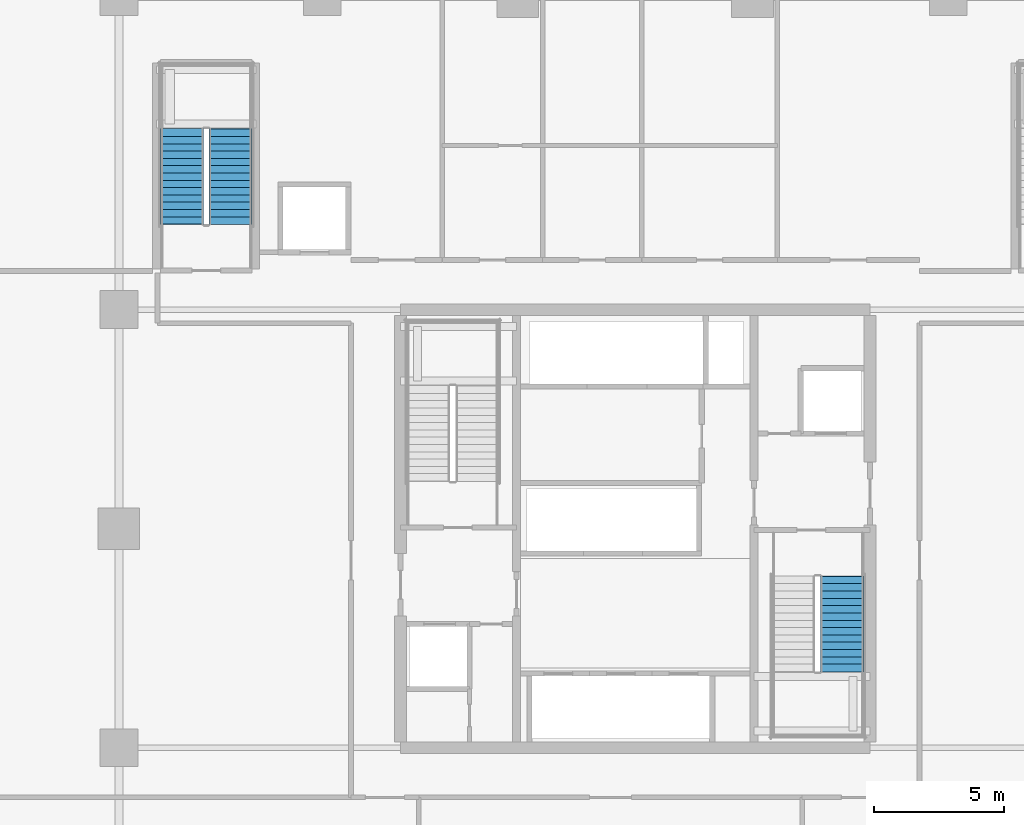
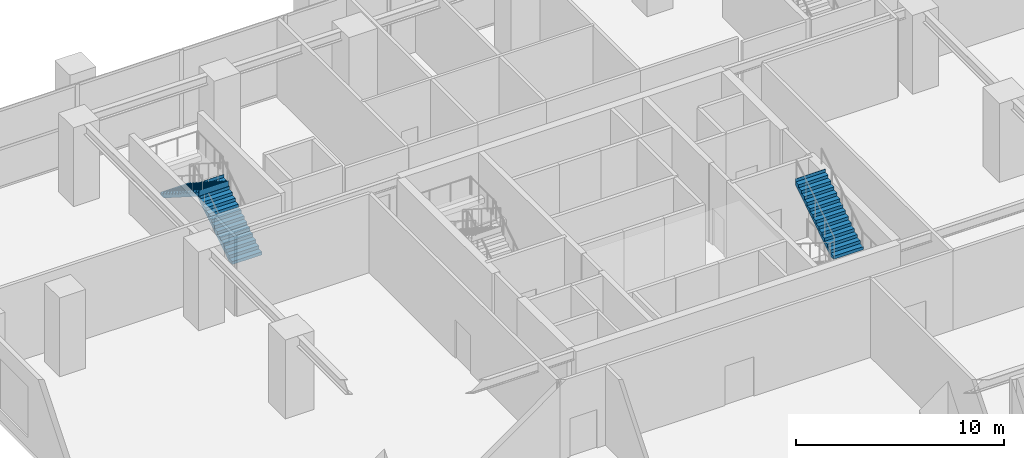
# One storey, part 17 of 20: 3 stair flights, 2 elements without a shape of their own.
"""IFC4 building model written with IfcOpenShell, lengths in metres."""

import ifcopenshell
import ifcopenshell.guid

model = None  # the IFC model being written
_history = None  # IfcOwnerHistory: only IFC2X3 demands one
_inside = {}  # id of a spatial element -> (the spatial element, [elements in it])
_under = {}  # id of a project, library or spatial element -> (it, [spatial elements below it])
_declared = {}  # id of a project -> (the project, [libraries it declares])
_typed = {}  # id of a type object -> (the type object, [elements of that type])
_made_of = {}  # id of a material, layer set ... -> (it, [elements and type objects made of it])


def new_model(schema):
    """Start an empty IFC model of exactly this schema.

    Asked for "IFC4X3", IfcOpenShell would pick the latest addendum, in which some entities
    have other attributes; the version numbers below select the first issue.
    IFC2X3 requires an IfcOwnerHistory on every rooted entity: one is made here for all.
    """
    global model, _history
    if schema == "IFC4X3":
        model = ifcopenshell.file(schema_version=(4, 3, 0, 0))
    else:
        model = ifcopenshell.file(schema=schema)
    _inside.clear()
    _under.clear()
    _declared.clear()
    _typed.clear()
    _made_of.clear()
    _history = None
    if model.schema == "IFC2X3":
        org = make("IfcOrganization", Name="unknown")
        user = make(
            "IfcPersonAndOrganization",
            ThePerson=make("IfcPerson", FamilyName="unknown"),
            TheOrganization=org,
        )
        app = make(
            "IfcApplication",
            ApplicationDeveloper=org,
            Version="unknown",
            ApplicationFullName="unknown",
            ApplicationIdentifier="unknown",
        )
        _history = make(
            "IfcOwnerHistory",
            OwningUser=user,
            OwningApplication=app,
            ChangeAction="ADDED",
            CreationDate=0,
        )
    return model


def make(cls, **values):
    """One entity of the class cls with the attributes given. An attribute that is None is left unset."""
    return model.create_entity(
        cls, **{name: value for name, value in values.items() if value is not None}
    )


def rooted(cls, **values):
    """An entity with a GlobalId (a new one), such as an element, a storey or a relation."""
    return make(cls, GlobalId=ifcopenshell.guid.new(), OwnerHistory=_history, **values)


def si_unit(unit_type, name, prefix=None):
    """IfcSIUnit, for example si_unit("LENGTHUNIT", "METRE", prefix="MILLI")."""
    return make("IfcSIUnit", UnitType=unit_type, Prefix=prefix, Name=name)


def assignment(units):
    """IfcUnitAssignment: the units of a project."""
    return None if units is None else make("IfcUnitAssignment", Units=units)


def point(xyz):
    """IfcCartesianPoint."""
    return None if xyz is None else make("IfcCartesianPoint", Coordinates=xyz)


def direction(xyz):
    """IfcDirection."""
    return None if xyz is None else make("IfcDirection", DirectionRatios=xyz)


def frame(location, z_axis=None, x_axis=None):
    """IfcAxis2Placement3D, a coordinate frame: its origin and axes. An axis left out is left unset."""
    return make(
        "IfcAxis2Placement3D",
        Location=point(location),
        Axis=direction(z_axis),
        RefDirection=direction(x_axis),
    )


def origin():
    """The frame at (0, 0, 0) with its axes left unset."""
    return frame((0.0, 0.0, 0.0))


def place(relative_to, where):
    """IfcLocalPlacement: puts the frame where relative to a parent placement (None: the world)."""
    return make(
        "IfcLocalPlacement", PlacementRelTo=relative_to, RelativePlacement=where
    )


def context(
    kind, dimensions, precision=None, world=None, true_north=None, identifier=None
):
    """IfcGeometricRepresentationContext, for example the 3D "Model" context."""
    return make(
        "IfcGeometricRepresentationContext",
        ContextIdentifier=identifier,
        ContextType=kind,
        CoordinateSpaceDimension=dimensions,
        Precision=precision,
        WorldCoordinateSystem=world,
        TrueNorth=true_north,
    )


def subcontext(parent, identifier, kind, view, scale=None):
    """IfcGeometricRepresentationSubContext, for example "Body" below "Model"."""
    return make(
        "IfcGeometricRepresentationSubContext",
        ContextIdentifier=identifier,
        ContextType=kind,
        ParentContext=parent,
        TargetScale=scale,
        TargetView=view,
    )


def project(units=None, contexts=None):
    """IfcProject with its units and contexts."""
    return rooted(
        "IfcProject",
        Name="project",
        RepresentationContexts=contexts,
        UnitsInContext=assignment(units),
    )


def spatial(cls, under=None, at=None, **own):
    """A site, building, storey or space (cls), placed at a placement, below another one or the project."""
    s = rooted(cls, ObjectPlacement=at, **own)
    if under is not None:
        _under.setdefault(under.id(), (under, []))[1].append(s)
    return s


def point_list(points):
    """IfcCartesianPointList2D or 3D."""
    cls = (
        "IfcCartesianPointList2D" if len(points[0]) == 2 else "IfcCartesianPointList3D"
    )
    return make(cls, CoordList=points)


def polygons(points, faces, closed=None, point_numbers=None):
    """IfcPolygonalFaceSet: a face is its outer loop, then its inner loops; points numbered from 1."""
    made = []
    for loops in faces:
        if len(loops) == 1:
            made.append(make("IfcIndexedPolygonalFace", CoordIndex=loops[0]))
        else:
            made.append(
                make(
                    "IfcIndexedPolygonalFaceWithVoids",
                    CoordIndex=loops[0],
                    InnerCoordIndices=loops[1:],
                )
            )
    return make(
        "IfcPolygonalFaceSet",
        Coordinates=point_list(points),
        Closed=closed,
        Faces=made,
        PnIndex=point_numbers,
    )


def shape(context_of_items, identifier, shape_type, items):
    """IfcShapeRepresentation: the items that make up one representation, for example the "Body"."""
    return make(
        "IfcShapeRepresentation",
        ContextOfItems=context_of_items,
        RepresentationIdentifier=identifier,
        RepresentationType=shape_type,
        Items=items,
    )


def material(Name=None, Category=None):
    """IfcMaterial."""
    return make("IfcMaterial", Name=Name, Category=Category)


def made_of(thing, what):
    """Note that an element or type object is made of a material, layer set ...; save() writes the relation."""
    if what is not None:
        _made_of.setdefault(what.id(), (what, []))[1].append(thing)
    return thing


def type_object(cls, material=None, **own):
    """A type object (cls), such as IfcWallType, which elements share."""
    return made_of(rooted(cls, **own), material)


def element(
    cls,
    number,
    at=None,
    inside=None,
    cuts=None,
    type_object=None,
    material=None,
    context=None,
    identifier="Body",
    shape_type=None,
    held_by="IfcProductDefinitionShape",
    body=None,
    shapes=None,
    **own,
):
    """One element of the class cls, such as IfcWall. Its Tag is "e" and its number.

    at: its placement. inside: the storey or other place that contains it. cuts: it is an
    opening in that element (IfcRelVoidsElement). A single representation is given by context,
    identifier, shape_type and body (its items); several are given by shapes. held_by: the class
    of the entity that holds the representations. save() writes the other relations.
    """
    e = rooted(cls, Tag="e%d" % number, ObjectPlacement=at, **own)
    if body is not None:
        shapes = [shape(context, identifier, shape_type, body)]
    if shapes is not None:
        e.Representation = make(held_by, Representations=shapes)
    if inside is not None:
        _inside.setdefault(inside.id(), (inside, []))[1].append(e)
    if cuts is not None:
        rooted(
            "IfcRelVoidsElement", RelatingBuildingElement=cuts, RelatedOpeningElement=e
        )
    if type_object is not None:
        _typed.setdefault(type_object.id(), (type_object, []))[1].append(e)
    return made_of(e, material)


def aggregate(whole, parts):
    """IfcRelAggregates: a whole, such as a stair, and the parts it consists of."""
    return rooted("IfcRelAggregates", RelatingObject=whole, RelatedObjects=parts)


def save(model, path):
    """Write the relations noted so far, then the file.

    IfcRelAggregates (storeys below a building ...), IfcRelContainedInSpatialStructure (elements
    in a storey), IfcRelDefinesByType, IfcRelAssociatesMaterial and IfcRelDeclares: one each for
    every whole, place, type object, material and project.
    """
    for whole, parts in _under.values():
        aggregate(whole, parts)
    for where, things in _inside.values():
        rooted(
            "IfcRelContainedInSpatialStructure",
            RelatedElements=things,
            RelatingStructure=where,
        )
    for kind, things in _typed.values():
        rooted("IfcRelDefinesByType", RelatedObjects=things, RelatingType=kind)
    for what, things in _made_of.values():
        rooted("IfcRelAssociatesMaterial", RelatedObjects=things, RelatingMaterial=what)
    for by, libraries in _declared.values():
        rooted("IfcRelDeclares", RelatingContext=by, RelatedDefinitions=libraries)
    model.write(path)


model = new_model("IFC4")

# Units and contexts
model_context = context("Model", 3, precision=1e-05, world=origin(), true_north=direction((0.0, 1.0)))
body_context = subcontext(model_context, "Body", "Model", "MODEL_VIEW")
ifc_project = project(units=[si_unit("LENGTHUNIT", "METRE"), si_unit("AREAUNIT", "SQUARE_METRE"), si_unit("VOLUMEUNIT", "CUBIC_METRE"), si_unit("PLANEANGLEUNIT", "RADIAN"), si_unit("MASSUNIT", "GRAM", prefix="KILO")], contexts=[model_context])

# Site, building, storey
site_placement = place(None, origin())
site = spatial("IfcSite", under=ifc_project, at=site_placement, CompositionType="ELEMENT")
building_placement = place(site_placement, origin())
building = spatial("IfcBuilding", under=site, at=building_placement, Name="Serunith Strait Residences", CompositionType="ELEMENT")
storey_placement = place(building_placement, frame((0.0, 0.0, 5.5)))
storey = spatial("IfcBuildingStorey", under=building, at=storey_placement, Name="L01", CompositionType="ELEMENT", Elevation=5.5)

# Stair, stair flight
ifc_material = material(Name="Concrete C50/60", Category="concrete")
stair_type_1 = type_object("IfcStairType", Name="STR-CORE-2", PredefinedType="HALF_TURN_STAIR", material=ifc_material)
stair_1_placement = place(storey_placement, origin())
stair_1 = element("IfcStair", 1, at=stair_1_placement, inside=storey, type_object=stair_type_1, Name="L01 Protected Escape Stair ST-2", PredefinedType="HALF_TURN_STAIR")
stair_flight_type_1 = type_object("IfcStairFlightType", Name="FLT-CORE-2", PredefinedType="STRAIGHT", material=ifc_material)
stair_flight_1_placement = place(storey_placement, frame((40.324951171875, 19.72998046875, 2.5), z_axis=(0.0, 0.0, 1.0), x_axis=(0.0, 1.0, 0.0)))
stair_flight_1 = element("IfcStairFlight", 2, at=stair_flight_1_placement, type_object=stair_flight_type_1, Name="ST-2 flight 2", NumberOfRisers=14, NumberOfTreads=13, PredefinedType="STRAIGHT", RiserHeight=0.178571429, TreadLength=0.28, context=body_context, shape_type="Tessellation", body=[
    polygons([(-0.02001953125, -0.824951171875, 0.0), (-0.02001953125, -0.824951171875, 0.178466796875), (0.280029296875, -0.824951171875, 0.178466796875), (0.280029296875, -0.824951171875, 0.357177734375), (0.56005859375, -0.824951171875, 0.357177734375), (0.56005859375, -0.824951171875, 0.53564453125), (0.840087890625, -0.824951171875, 0.53564453125), (0.840087890625, -0.824951171875, 0.71435546875), (1.1201171875, -0.824951171875, 0.71435546875), (1.1201171875, -0.824951171875, 0.892822265625), (1.39990234375, -0.824951171875, 0.892822265625), (1.39990234375, -0.824951171875, 1.071533203125), (1.679931640625, -0.824951171875, 1.071533203125), (1.679931640625, -0.824951171875, 1.25), (1.9599609375, -0.824951171875, 1.25), (1.9599609375, -0.824951171875, 1.428466796875), (2.239990234375, -0.824951171875, 1.428466796875), (2.239990234375, -0.824951171875, 1.607177734375), (2.52001953125, -0.824951171875, 1.607177734375), (2.52001953125, -0.824951171875, 1.78564453125), (2.800048828125, -0.824951171875, 1.78564453125), (2.800048828125, -0.824951171875, 1.96435546875), (3.080078125, -0.824951171875, 1.96435546875), (3.080078125, -0.824951171875, 2.142822265625), (3.360107421875, -0.824951171875, 2.142822265625), (3.360107421875, -0.824951171875, 2.321533203125), (3.639892578125, -0.824951171875, 2.321533203125), (3.639892578125, -0.824951171875, 2.5), (3.659912109375, -0.824951171875, 2.5), (3.659912109375, -0.824951171875, 2.43994140625), (3.639892578125, -0.824951171875, 2.1435546875), (0.27880859375, -0.824951171875, 0.0), (-0.02001953125, -0.41259765625, 0.0), (-0.02001953125, -0.41259765625, 0.178466796875), (0.280029296875, -0.41259765625, 0.178466796875), (0.280029296875, -0.41259765625, 0.357177734375), (0.56005859375, -0.41259765625, 0.357177734375), (0.56005859375, -0.41259765625, 0.53564453125), (0.840087890625, -0.41259765625, 0.53564453125), (0.840087890625, -0.41259765625, 0.71435546875), (1.1201171875, -0.41259765625, 0.71435546875), (1.1201171875, -0.41259765625, 0.892822265625), (1.39990234375, -0.41259765625, 0.892822265625), (1.39990234375, -0.41259765625, 1.071533203125), (1.679931640625, -0.41259765625, 1.071533203125), (1.679931640625, -0.41259765625, 1.25), (1.9599609375, -0.41259765625, 1.25), (1.9599609375, -0.41259765625, 1.428466796875), (2.239990234375, -0.41259765625, 1.428466796875), (2.239990234375, -0.41259765625, 1.607177734375), (2.52001953125, -0.41259765625, 1.607177734375), (2.52001953125, -0.41259765625, 1.78564453125), (2.800048828125, -0.41259765625, 1.78564453125), (2.800048828125, -0.41259765625, 1.96435546875), (3.080078125, -0.41259765625, 1.96435546875), (3.080078125, -0.41259765625, 2.142822265625), (3.360107421875, -0.41259765625, 2.142822265625), (3.360107421875, -0.41259765625, 2.321533203125), (3.639892578125, -0.41259765625, 2.321533203125), (3.639892578125, -0.41259765625, 2.5), (3.659912109375, -0.41259765625, 2.5), (3.659912109375, -0.41259765625, 2.43994140625), (3.639892578125, -0.41259765625, 2.1435546875), (0.27880859375, -0.41259765625, 0.0), (-0.02001953125, 0.0, 0.0), (-0.02001953125, 0.0, 0.178466796875), (0.280029296875, 0.0, 0.178466796875), (0.280029296875, 0.0, 0.357177734375), (0.56005859375, 0.0, 0.357177734375), (0.56005859375, 0.0, 0.53564453125), (0.840087890625, 0.0, 0.53564453125), (0.840087890625, 0.0, 0.71435546875), (1.1201171875, 0.0, 0.71435546875), (1.1201171875, 0.0, 0.892822265625), (1.39990234375, 0.0, 0.892822265625), (1.39990234375, 0.0, 1.071533203125), (1.679931640625, 0.0, 1.071533203125), (1.679931640625, 0.0, 1.25), (1.9599609375, 0.0, 1.25), (1.9599609375, 0.0, 1.428466796875), (2.239990234375, 0.0, 1.428466796875), (2.239990234375, 0.0, 1.607177734375), (2.52001953125, 0.0, 1.607177734375), (2.52001953125, 0.0, 1.78564453125), (2.800048828125, 0.0, 1.78564453125), (2.800048828125, 0.0, 1.96435546875), (3.080078125, 0.0, 1.96435546875), (3.080078125, 0.0, 2.142822265625), (3.360107421875, 0.0, 2.142822265625), (3.360107421875, 0.0, 2.321533203125), (3.639892578125, 0.0, 2.321533203125), (3.639892578125, 0.0, 2.5), (3.659912109375, 0.0, 2.5), (3.659912109375, 0.0, 2.43994140625), (3.639892578125, 0.0, 2.1435546875), (0.27880859375, 0.0, 0.0), (-0.02001953125, 0.41259765625, 0.0), (-0.02001953125, 0.41259765625, 0.178466796875), (0.280029296875, 0.41259765625, 0.178466796875), (0.280029296875, 0.41259765625, 0.357177734375), (0.56005859375, 0.41259765625, 0.357177734375), (0.56005859375, 0.41259765625, 0.53564453125), (0.840087890625, 0.41259765625, 0.53564453125), (0.840087890625, 0.41259765625, 0.71435546875), (1.1201171875, 0.41259765625, 0.71435546875), (1.1201171875, 0.41259765625, 0.892822265625), (1.39990234375, 0.41259765625, 0.892822265625), (1.39990234375, 0.41259765625, 1.071533203125), (1.679931640625, 0.41259765625, 1.071533203125), (1.679931640625, 0.41259765625, 1.25), (1.9599609375, 0.41259765625, 1.25), (1.9599609375, 0.41259765625, 1.428466796875), (2.239990234375, 0.41259765625, 1.428466796875), (2.239990234375, 0.41259765625, 1.607177734375), (2.52001953125, 0.41259765625, 1.607177734375), (2.52001953125, 0.41259765625, 1.78564453125), (2.800048828125, 0.41259765625, 1.78564453125), (2.800048828125, 0.41259765625, 1.96435546875), (3.080078125, 0.41259765625, 1.96435546875), (3.080078125, 0.41259765625, 2.142822265625), (3.360107421875, 0.41259765625, 2.142822265625), (3.360107421875, 0.41259765625, 2.321533203125), (3.639892578125, 0.41259765625, 2.321533203125), (3.639892578125, 0.41259765625, 2.5), (3.659912109375, 0.41259765625, 2.5), (3.659912109375, 0.41259765625, 2.43994140625), (3.639892578125, 0.41259765625, 2.1435546875), (0.27880859375, 0.41259765625, 0.0), (-0.02001953125, 0.824951171875, 0.0), (-0.02001953125, 0.824951171875, 0.178466796875), (0.280029296875, 0.824951171875, 0.178466796875), (0.280029296875, 0.824951171875, 0.357177734375), (0.56005859375, 0.824951171875, 0.357177734375), (0.56005859375, 0.824951171875, 0.53564453125), (0.840087890625, 0.824951171875, 0.53564453125), (0.840087890625, 0.824951171875, 0.71435546875), (1.1201171875, 0.824951171875, 0.71435546875), (1.1201171875, 0.824951171875, 0.892822265625), (1.39990234375, 0.824951171875, 0.892822265625), (1.39990234375, 0.824951171875, 1.071533203125), (1.679931640625, 0.824951171875, 1.071533203125), (1.679931640625, 0.824951171875, 1.25), (1.9599609375, 0.824951171875, 1.25), (1.9599609375, 0.824951171875, 1.428466796875), (2.239990234375, 0.824951171875, 1.428466796875), (2.239990234375, 0.824951171875, 1.607177734375), (2.52001953125, 0.824951171875, 1.607177734375), (2.52001953125, 0.824951171875, 1.78564453125), (2.800048828125, 0.824951171875, 1.78564453125), (2.800048828125, 0.824951171875, 1.96435546875), (3.080078125, 0.824951171875, 1.96435546875), (3.080078125, 0.824951171875, 2.142822265625), (3.360107421875, 0.824951171875, 2.142822265625), (3.360107421875, 0.824951171875, 2.321533203125), (3.639892578125, 0.824951171875, 2.321533203125), (3.639892578125, 0.824951171875, 2.5), (3.659912109375, 0.824951171875, 2.5), (3.659912109375, 0.824951171875, 2.43994140625), (3.639892578125, 0.824951171875, 2.1435546875), (0.27880859375, 0.824951171875, 0.0)], [[[1, 2, 34, 33]], [[2, 3, 35, 34]], [[3, 4, 36, 35]], [[4, 5, 37, 36]], [[5, 6, 38, 37]], [[6, 7, 39, 38]], [[7, 8, 40, 39]], [[8, 9, 41, 40]], [[9, 10, 42, 41]], [[10, 11, 43, 42]], [[11, 12, 44, 43]], [[12, 13, 45, 44]], [[13, 14, 46, 45]], [[14, 15, 47, 46]], [[15, 16, 48, 47]], [[16, 17, 49, 48]], [[17, 18, 50, 49]], [[18, 19, 51, 50]], [[19, 20, 52, 51]], [[20, 21, 53, 52]], [[21, 22, 54, 53]], [[22, 23, 55, 54]], [[23, 24, 56, 55]], [[24, 25, 57, 56]], [[25, 26, 58, 57]], [[26, 27, 59, 58]], [[27, 28, 60, 59]], [[28, 29, 61, 60]], [[29, 30, 62, 61]], [[30, 31, 63, 62]], [[31, 32, 64, 63]], [[32, 1, 33, 64]], [[33, 34, 66, 65]], [[34, 35, 67, 66]], [[35, 36, 68, 67]], [[36, 37, 69, 68]], [[37, 38, 70, 69]], [[38, 39, 71, 70]], [[39, 40, 72, 71]], [[40, 41, 73, 72]], [[41, 42, 74, 73]], [[42, 43, 75, 74]], [[43, 44, 76, 75]], [[44, 45, 77, 76]], [[45, 46, 78, 77]], [[46, 47, 79, 78]], [[47, 48, 80, 79]], [[48, 49, 81, 80]], [[49, 50, 82, 81]], [[50, 51, 83, 82]], [[51, 52, 84, 83]], [[52, 53, 85, 84]], [[53, 54, 86, 85]], [[54, 55, 87, 86]], [[55, 56, 88, 87]], [[56, 57, 89, 88]], [[57, 58, 90, 89]], [[58, 59, 91, 90]], [[59, 60, 92, 91]], [[60, 61, 93, 92]], [[61, 62, 94, 93]], [[62, 63, 95, 94]], [[63, 64, 96, 95]], [[64, 33, 65, 96]], [[65, 66, 98, 97]], [[66, 67, 99, 98]], [[67, 68, 100, 99]], [[68, 69, 101, 100]], [[69, 70, 102, 101]], [[70, 71, 103, 102]], [[71, 72, 104, 103]], [[72, 73, 105, 104]], [[73, 74, 106, 105]], [[74, 75, 107, 106]], [[75, 76, 108, 107]], [[76, 77, 109, 108]], [[77, 78, 110, 109]], [[78, 79, 111, 110]], [[79, 80, 112, 111]], [[80, 81, 113, 112]], [[81, 82, 114, 113]], [[82, 83, 115, 114]], [[83, 84, 116, 115]], [[84, 85, 117, 116]], [[85, 86, 118, 117]], [[86, 87, 119, 118]], [[87, 88, 120, 119]], [[88, 89, 121, 120]], [[89, 90, 122, 121]], [[90, 91, 123, 122]], [[91, 92, 124, 123]], [[92, 93, 125, 124]], [[93, 94, 126, 125]], [[94, 95, 127, 126]], [[95, 96, 128, 127]], [[96, 65, 97, 128]], [[97, 98, 130, 129]], [[98, 99, 131, 130]], [[99, 100, 132, 131]], [[100, 101, 133, 132]], [[101, 102, 134, 133]], [[102, 103, 135, 134]], [[103, 104, 136, 135]], [[104, 105, 137, 136]], [[105, 106, 138, 137]], [[106, 107, 139, 138]], [[107, 108, 140, 139]], [[108, 109, 141, 140]], [[109, 110, 142, 141]], [[110, 111, 143, 142]], [[111, 112, 144, 143]], [[112, 113, 145, 144]], [[113, 114, 146, 145]], [[114, 115, 147, 146]], [[115, 116, 148, 147]], [[116, 117, 149, 148]], [[117, 118, 150, 149]], [[118, 119, 151, 150]], [[119, 120, 152, 151]], [[120, 121, 153, 152]], [[121, 122, 154, 153]], [[122, 123, 155, 154]], [[123, 124, 156, 155]], [[124, 125, 157, 156]], [[125, 126, 158, 157]], [[126, 127, 159, 158]], [[127, 128, 160, 159]], [[128, 97, 129, 160]], [[32, 31, 30, 29, 28, 27, 26, 25, 24, 23, 22, 21, 20, 19, 18, 17, 16, 15, 14, 13, 12, 11, 10, 9, 8, 7, 6, 5, 4, 3, 2, 1]], [[129, 130, 131, 132, 133, 134, 135, 136, 137, 138, 139, 140, 141, 142, 143, 144, 145, 146, 147, 148, 149, 150, 151, 152, 153, 154, 155, 156, 157, 158, 159, 160]]], closed=True),
])
aggregate(stair_1, [stair_flight_1])

# Stair, stair flights
stair_type_2 = type_object("IfcStairType", Name="STR-POD-3", PredefinedType="HALF_TURN_STAIR", material=ifc_material)
stair_2_placement = place(storey_placement, origin())
stair_2 = element("IfcStair", 3, at=stair_2_placement, inside=storey, type_object=stair_type_2, Name="L01 Podium Escape Stair ST-3", PredefinedType="HALF_TURN_STAIR")
stair_flight_type_2 = type_object("IfcStairFlightType", Name="FLT-POD-3", PredefinedType="STRAIGHT", material=ifc_material)
stair_flight_2_placement = place(storey_placement, frame((16.875, 36.8798828125, 0.0), z_axis=(0.0, 0.0, 1.0), x_axis=(0.0, 1.0, 0.0)))
stair_flight_2 = element("IfcStairFlight", 4, at=stair_flight_2_placement, type_object=stair_flight_type_2, Name="ST-3 flight 1", NumberOfRisers=14, NumberOfTreads=13, PredefinedType="STRAIGHT", RiserHeight=0.178571429, TreadLength=0.28, context=body_context, shape_type="Tessellation", body=[
    polygons([(-0.02001953125, -0.824951171875, 0.0), (-0.02001953125, -0.824951171875, 0.178466796875), (0.280029296875, -0.824951171875, 0.178466796875), (0.280029296875, -0.824951171875, 0.357177734375), (0.56005859375, -0.824951171875, 0.357177734375), (0.56005859375, -0.824951171875, 0.53564453125), (0.840087890625, -0.824951171875, 0.53564453125), (0.840087890625, -0.824951171875, 0.71435546875), (1.1201171875, -0.824951171875, 0.71435546875), (1.1201171875, -0.824951171875, 0.892822265625), (1.39990234375, -0.824951171875, 0.892822265625), (1.39990234375, -0.824951171875, 1.071533203125), (1.679931640625, -0.824951171875, 1.071533203125), (1.679931640625, -0.824951171875, 1.25), (1.9599609375, -0.824951171875, 1.25), (1.9599609375, -0.824951171875, 1.428466796875), (2.239990234375, -0.824951171875, 1.428466796875), (2.239990234375, -0.824951171875, 1.607177734375), (2.52001953125, -0.824951171875, 1.607177734375), (2.52001953125, -0.824951171875, 1.78564453125), (2.800048828125, -0.824951171875, 1.78564453125), (2.800048828125, -0.824951171875, 1.96435546875), (3.080078125, -0.824951171875, 1.96435546875), (3.080078125, -0.824951171875, 2.142822265625), (3.360107421875, -0.824951171875, 2.142822265625), (3.360107421875, -0.824951171875, 2.321533203125), (3.639892578125, -0.824951171875, 2.321533203125), (3.639892578125, -0.824951171875, 2.5), (3.659912109375, -0.824951171875, 2.5), (3.659912109375, -0.824951171875, 2.43994140625), (3.639892578125, -0.824951171875, 2.1435546875), (0.27880859375, -0.824951171875, 0.0), (-0.02001953125, -0.41259765625, 0.0), (-0.02001953125, -0.41259765625, 0.178466796875), (0.280029296875, -0.41259765625, 0.178466796875), (0.280029296875, -0.41259765625, 0.357177734375), (0.56005859375, -0.41259765625, 0.357177734375), (0.56005859375, -0.41259765625, 0.53564453125), (0.840087890625, -0.41259765625, 0.53564453125), (0.840087890625, -0.41259765625, 0.71435546875), (1.1201171875, -0.41259765625, 0.71435546875), (1.1201171875, -0.41259765625, 0.892822265625), (1.39990234375, -0.41259765625, 0.892822265625), (1.39990234375, -0.41259765625, 1.071533203125), (1.679931640625, -0.41259765625, 1.071533203125), (1.679931640625, -0.41259765625, 1.25), (1.9599609375, -0.41259765625, 1.25), (1.9599609375, -0.41259765625, 1.428466796875), (2.239990234375, -0.41259765625, 1.428466796875), (2.239990234375, -0.41259765625, 1.607177734375), (2.52001953125, -0.41259765625, 1.607177734375), (2.52001953125, -0.41259765625, 1.78564453125), (2.800048828125, -0.41259765625, 1.78564453125), (2.800048828125, -0.41259765625, 1.96435546875), (3.080078125, -0.41259765625, 1.96435546875), (3.080078125, -0.41259765625, 2.142822265625), (3.360107421875, -0.41259765625, 2.142822265625), (3.360107421875, -0.41259765625, 2.321533203125), (3.639892578125, -0.41259765625, 2.321533203125), (3.639892578125, -0.41259765625, 2.5), (3.659912109375, -0.41259765625, 2.5), (3.659912109375, -0.41259765625, 2.43994140625), (3.639892578125, -0.41259765625, 2.1435546875), (0.27880859375, -0.41259765625, 0.0), (-0.02001953125, 0.0, 0.0), (-0.02001953125, 0.0, 0.178466796875), (0.280029296875, 0.0, 0.178466796875), (0.280029296875, 0.0, 0.357177734375), (0.56005859375, 0.0, 0.357177734375), (0.56005859375, 0.0, 0.53564453125), (0.840087890625, 0.0, 0.53564453125), (0.840087890625, 0.0, 0.71435546875), (1.1201171875, 0.0, 0.71435546875), (1.1201171875, 0.0, 0.892822265625), (1.39990234375, 0.0, 0.892822265625), (1.39990234375, 0.0, 1.071533203125), (1.679931640625, 0.0, 1.071533203125), (1.679931640625, 0.0, 1.25), (1.9599609375, 0.0, 1.25), (1.9599609375, 0.0, 1.428466796875), (2.239990234375, 0.0, 1.428466796875), (2.239990234375, 0.0, 1.607177734375), (2.52001953125, 0.0, 1.607177734375), (2.52001953125, 0.0, 1.78564453125), (2.800048828125, 0.0, 1.78564453125), (2.800048828125, 0.0, 1.96435546875), (3.080078125, 0.0, 1.96435546875), (3.080078125, 0.0, 2.142822265625), (3.360107421875, 0.0, 2.142822265625), (3.360107421875, 0.0, 2.321533203125), (3.639892578125, 0.0, 2.321533203125), (3.639892578125, 0.0, 2.5), (3.659912109375, 0.0, 2.5), (3.659912109375, 0.0, 2.43994140625), (3.639892578125, 0.0, 2.1435546875), (0.27880859375, 0.0, 0.0), (-0.02001953125, 0.41259765625, 0.0), (-0.02001953125, 0.41259765625, 0.178466796875), (0.280029296875, 0.41259765625, 0.178466796875), (0.280029296875, 0.41259765625, 0.357177734375), (0.56005859375, 0.41259765625, 0.357177734375), (0.56005859375, 0.41259765625, 0.53564453125), (0.840087890625, 0.41259765625, 0.53564453125), (0.840087890625, 0.41259765625, 0.71435546875), (1.1201171875, 0.41259765625, 0.71435546875), (1.1201171875, 0.41259765625, 0.892822265625), (1.39990234375, 0.41259765625, 0.892822265625), (1.39990234375, 0.41259765625, 1.071533203125), (1.679931640625, 0.41259765625, 1.071533203125), (1.679931640625, 0.41259765625, 1.25), (1.9599609375, 0.41259765625, 1.25), (1.9599609375, 0.41259765625, 1.428466796875), (2.239990234375, 0.41259765625, 1.428466796875), (2.239990234375, 0.41259765625, 1.607177734375), (2.52001953125, 0.41259765625, 1.607177734375), (2.52001953125, 0.41259765625, 1.78564453125), (2.800048828125, 0.41259765625, 1.78564453125), (2.800048828125, 0.41259765625, 1.96435546875), (3.080078125, 0.41259765625, 1.96435546875), (3.080078125, 0.41259765625, 2.142822265625), (3.360107421875, 0.41259765625, 2.142822265625), (3.360107421875, 0.41259765625, 2.321533203125), (3.639892578125, 0.41259765625, 2.321533203125), (3.639892578125, 0.41259765625, 2.5), (3.659912109375, 0.41259765625, 2.5), (3.659912109375, 0.41259765625, 2.43994140625), (3.639892578125, 0.41259765625, 2.1435546875), (0.27880859375, 0.41259765625, 0.0), (-0.02001953125, 0.824951171875, 0.0), (-0.02001953125, 0.824951171875, 0.178466796875), (0.280029296875, 0.824951171875, 0.178466796875), (0.280029296875, 0.824951171875, 0.357177734375), (0.56005859375, 0.824951171875, 0.357177734375), (0.56005859375, 0.824951171875, 0.53564453125), (0.840087890625, 0.824951171875, 0.53564453125), (0.840087890625, 0.824951171875, 0.71435546875), (1.1201171875, 0.824951171875, 0.71435546875), (1.1201171875, 0.824951171875, 0.892822265625), (1.39990234375, 0.824951171875, 0.892822265625), (1.39990234375, 0.824951171875, 1.071533203125), (1.679931640625, 0.824951171875, 1.071533203125), (1.679931640625, 0.824951171875, 1.25), (1.9599609375, 0.824951171875, 1.25), (1.9599609375, 0.824951171875, 1.428466796875), (2.239990234375, 0.824951171875, 1.428466796875), (2.239990234375, 0.824951171875, 1.607177734375), (2.52001953125, 0.824951171875, 1.607177734375), (2.52001953125, 0.824951171875, 1.78564453125), (2.800048828125, 0.824951171875, 1.78564453125), (2.800048828125, 0.824951171875, 1.96435546875), (3.080078125, 0.824951171875, 1.96435546875), (3.080078125, 0.824951171875, 2.142822265625), (3.360107421875, 0.824951171875, 2.142822265625), (3.360107421875, 0.824951171875, 2.321533203125), (3.639892578125, 0.824951171875, 2.321533203125), (3.639892578125, 0.824951171875, 2.5), (3.659912109375, 0.824951171875, 2.5), (3.659912109375, 0.824951171875, 2.43994140625), (3.639892578125, 0.824951171875, 2.1435546875), (0.27880859375, 0.824951171875, 0.0)], [[[1, 2, 34, 33]], [[2, 3, 35, 34]], [[3, 4, 36, 35]], [[4, 5, 37, 36]], [[5, 6, 38, 37]], [[6, 7, 39, 38]], [[7, 8, 40, 39]], [[8, 9, 41, 40]], [[9, 10, 42, 41]], [[10, 11, 43, 42]], [[11, 12, 44, 43]], [[12, 13, 45, 44]], [[13, 14, 46, 45]], [[14, 15, 47, 46]], [[15, 16, 48, 47]], [[16, 17, 49, 48]], [[17, 18, 50, 49]], [[18, 19, 51, 50]], [[19, 20, 52, 51]], [[20, 21, 53, 52]], [[21, 22, 54, 53]], [[22, 23, 55, 54]], [[23, 24, 56, 55]], [[24, 25, 57, 56]], [[25, 26, 58, 57]], [[26, 27, 59, 58]], [[27, 28, 60, 59]], [[28, 29, 61, 60]], [[29, 30, 62, 61]], [[30, 31, 63, 62]], [[31, 32, 64, 63]], [[32, 1, 33, 64]], [[33, 34, 66, 65]], [[34, 35, 67, 66]], [[35, 36, 68, 67]], [[36, 37, 69, 68]], [[37, 38, 70, 69]], [[38, 39, 71, 70]], [[39, 40, 72, 71]], [[40, 41, 73, 72]], [[41, 42, 74, 73]], [[42, 43, 75, 74]], [[43, 44, 76, 75]], [[44, 45, 77, 76]], [[45, 46, 78, 77]], [[46, 47, 79, 78]], [[47, 48, 80, 79]], [[48, 49, 81, 80]], [[49, 50, 82, 81]], [[50, 51, 83, 82]], [[51, 52, 84, 83]], [[52, 53, 85, 84]], [[53, 54, 86, 85]], [[54, 55, 87, 86]], [[55, 56, 88, 87]], [[56, 57, 89, 88]], [[57, 58, 90, 89]], [[58, 59, 91, 90]], [[59, 60, 92, 91]], [[60, 61, 93, 92]], [[61, 62, 94, 93]], [[62, 63, 95, 94]], [[63, 64, 96, 95]], [[64, 33, 65, 96]], [[65, 66, 98, 97]], [[66, 67, 99, 98]], [[67, 68, 100, 99]], [[68, 69, 101, 100]], [[69, 70, 102, 101]], [[70, 71, 103, 102]], [[71, 72, 104, 103]], [[72, 73, 105, 104]], [[73, 74, 106, 105]], [[74, 75, 107, 106]], [[75, 76, 108, 107]], [[76, 77, 109, 108]], [[77, 78, 110, 109]], [[78, 79, 111, 110]], [[79, 80, 112, 111]], [[80, 81, 113, 112]], [[81, 82, 114, 113]], [[82, 83, 115, 114]], [[83, 84, 116, 115]], [[84, 85, 117, 116]], [[85, 86, 118, 117]], [[86, 87, 119, 118]], [[87, 88, 120, 119]], [[88, 89, 121, 120]], [[89, 90, 122, 121]], [[90, 91, 123, 122]], [[91, 92, 124, 123]], [[92, 93, 125, 124]], [[93, 94, 126, 125]], [[94, 95, 127, 126]], [[95, 96, 128, 127]], [[96, 65, 97, 128]], [[97, 98, 130, 129]], [[98, 99, 131, 130]], [[99, 100, 132, 131]], [[100, 101, 133, 132]], [[101, 102, 134, 133]], [[102, 103, 135, 134]], [[103, 104, 136, 135]], [[104, 105, 137, 136]], [[105, 106, 138, 137]], [[106, 107, 139, 138]], [[107, 108, 140, 139]], [[108, 109, 141, 140]], [[109, 110, 142, 141]], [[110, 111, 143, 142]], [[111, 112, 144, 143]], [[112, 113, 145, 144]], [[113, 114, 146, 145]], [[114, 115, 147, 146]], [[115, 116, 148, 147]], [[116, 117, 149, 148]], [[117, 118, 150, 149]], [[118, 119, 151, 150]], [[119, 120, 152, 151]], [[120, 121, 153, 152]], [[121, 122, 154, 153]], [[122, 123, 155, 154]], [[123, 124, 156, 155]], [[124, 125, 157, 156]], [[125, 126, 158, 157]], [[126, 127, 159, 158]], [[127, 128, 160, 159]], [[128, 97, 129, 160]], [[32, 31, 30, 29, 28, 27, 26, 25, 24, 23, 22, 21, 20, 19, 18, 17, 16, 15, 14, 13, 12, 11, 10, 9, 8, 7, 6, 5, 4, 3, 2, 1]], [[129, 130, 131, 132, 133, 134, 135, 136, 137, 138, 139, 140, 141, 142, 143, 144, 145, 146, 147, 148, 149, 150, 151, 152, 153, 154, 155, 156, 157, 158, 159, 160]]], closed=True),
])
stair_flight_3_placement = place(storey_placement, frame((15.02490234375, 40.52001953125, 2.5), z_axis=(0.0, 0.0, 1.0), x_axis=(0.0, -1.0, 0.0)))
stair_flight_3 = element("IfcStairFlight", 5, at=stair_flight_3_placement, type_object=stair_flight_type_2, Name="ST-3 flight 2", NumberOfRisers=14, NumberOfTreads=13, PredefinedType="STRAIGHT", RiserHeight=0.178571429, TreadLength=0.28, context=body_context, shape_type="Tessellation", body=[
    polygons([(-0.02001953125, -0.824951171875, 0.0), (-0.02001953125, -0.824951171875, 0.178466796875), (0.280029296875, -0.824951171875, 0.178466796875), (0.280029296875, -0.824951171875, 0.357177734375), (0.56005859375, -0.824951171875, 0.357177734375), (0.56005859375, -0.824951171875, 0.53564453125), (0.840087890625, -0.824951171875, 0.53564453125), (0.840087890625, -0.824951171875, 0.71435546875), (1.1201171875, -0.824951171875, 0.71435546875), (1.1201171875, -0.824951171875, 0.892822265625), (1.39990234375, -0.824951171875, 0.892822265625), (1.39990234375, -0.824951171875, 1.071533203125), (1.679931640625, -0.824951171875, 1.071533203125), (1.679931640625, -0.824951171875, 1.25), (1.9599609375, -0.824951171875, 1.25), (1.9599609375, -0.824951171875, 1.428466796875), (2.239990234375, -0.824951171875, 1.428466796875), (2.239990234375, -0.824951171875, 1.607177734375), (2.52001953125, -0.824951171875, 1.607177734375), (2.52001953125, -0.824951171875, 1.78564453125), (2.800048828125, -0.824951171875, 1.78564453125), (2.800048828125, -0.824951171875, 1.96435546875), (3.080078125, -0.824951171875, 1.96435546875), (3.080078125, -0.824951171875, 2.142822265625), (3.360107421875, -0.824951171875, 2.142822265625), (3.360107421875, -0.824951171875, 2.321533203125), (3.639892578125, -0.824951171875, 2.321533203125), (3.639892578125, -0.824951171875, 2.5), (3.659912109375, -0.824951171875, 2.5), (3.659912109375, -0.824951171875, 2.43994140625), (3.639892578125, -0.824951171875, 2.1435546875), (0.27880859375, -0.824951171875, 0.0), (-0.02001953125, -0.41259765625, 0.0), (-0.02001953125, -0.41259765625, 0.178466796875), (0.280029296875, -0.41259765625, 0.178466796875), (0.280029296875, -0.41259765625, 0.357177734375), (0.56005859375, -0.41259765625, 0.357177734375), (0.56005859375, -0.41259765625, 0.53564453125), (0.840087890625, -0.41259765625, 0.53564453125), (0.840087890625, -0.41259765625, 0.71435546875), (1.1201171875, -0.41259765625, 0.71435546875), (1.1201171875, -0.41259765625, 0.892822265625), (1.39990234375, -0.41259765625, 0.892822265625), (1.39990234375, -0.41259765625, 1.071533203125), (1.679931640625, -0.41259765625, 1.071533203125), (1.679931640625, -0.41259765625, 1.25), (1.9599609375, -0.41259765625, 1.25), (1.9599609375, -0.41259765625, 1.428466796875), (2.239990234375, -0.41259765625, 1.428466796875), (2.239990234375, -0.41259765625, 1.607177734375), (2.52001953125, -0.41259765625, 1.607177734375), (2.52001953125, -0.41259765625, 1.78564453125), (2.800048828125, -0.41259765625, 1.78564453125), (2.800048828125, -0.41259765625, 1.96435546875), (3.080078125, -0.41259765625, 1.96435546875), (3.080078125, -0.41259765625, 2.142822265625), (3.360107421875, -0.41259765625, 2.142822265625), (3.360107421875, -0.41259765625, 2.321533203125), (3.639892578125, -0.41259765625, 2.321533203125), (3.639892578125, -0.41259765625, 2.5), (3.659912109375, -0.41259765625, 2.5), (3.659912109375, -0.41259765625, 2.43994140625), (3.639892578125, -0.41259765625, 2.1435546875), (0.27880859375, -0.41259765625, 0.0), (-0.02001953125, 0.0, 0.0), (-0.02001953125, 0.0, 0.178466796875), (0.280029296875, 0.0, 0.178466796875), (0.280029296875, 0.0, 0.357177734375), (0.56005859375, 0.0, 0.357177734375), (0.56005859375, 0.0, 0.53564453125), (0.840087890625, 0.0, 0.53564453125), (0.840087890625, 0.0, 0.71435546875), (1.1201171875, 0.0, 0.71435546875), (1.1201171875, 0.0, 0.892822265625), (1.39990234375, 0.0, 0.892822265625), (1.39990234375, 0.0, 1.071533203125), (1.679931640625, 0.0, 1.071533203125), (1.679931640625, 0.0, 1.25), (1.9599609375, 0.0, 1.25), (1.9599609375, 0.0, 1.428466796875), (2.239990234375, 0.0, 1.428466796875), (2.239990234375, 0.0, 1.607177734375), (2.52001953125, 0.0, 1.607177734375), (2.52001953125, 0.0, 1.78564453125), (2.800048828125, 0.0, 1.78564453125), (2.800048828125, 0.0, 1.96435546875), (3.080078125, 0.0, 1.96435546875), (3.080078125, 0.0, 2.142822265625), (3.360107421875, 0.0, 2.142822265625), (3.360107421875, 0.0, 2.321533203125), (3.639892578125, 0.0, 2.321533203125), (3.639892578125, 0.0, 2.5), (3.659912109375, 0.0, 2.5), (3.659912109375, 0.0, 2.43994140625), (3.639892578125, 0.0, 2.1435546875), (0.27880859375, 0.0, 0.0), (-0.02001953125, 0.41259765625, 0.0), (-0.02001953125, 0.41259765625, 0.178466796875), (0.280029296875, 0.41259765625, 0.178466796875), (0.280029296875, 0.41259765625, 0.357177734375), (0.56005859375, 0.41259765625, 0.357177734375), (0.56005859375, 0.41259765625, 0.53564453125), (0.840087890625, 0.41259765625, 0.53564453125), (0.840087890625, 0.41259765625, 0.71435546875), (1.1201171875, 0.41259765625, 0.71435546875), (1.1201171875, 0.41259765625, 0.892822265625), (1.39990234375, 0.41259765625, 0.892822265625), (1.39990234375, 0.41259765625, 1.071533203125), (1.679931640625, 0.41259765625, 1.071533203125), (1.679931640625, 0.41259765625, 1.25), (1.9599609375, 0.41259765625, 1.25), (1.9599609375, 0.41259765625, 1.428466796875), (2.239990234375, 0.41259765625, 1.428466796875), (2.239990234375, 0.41259765625, 1.607177734375), (2.52001953125, 0.41259765625, 1.607177734375), (2.52001953125, 0.41259765625, 1.78564453125), (2.800048828125, 0.41259765625, 1.78564453125), (2.800048828125, 0.41259765625, 1.96435546875), (3.080078125, 0.41259765625, 1.96435546875), (3.080078125, 0.41259765625, 2.142822265625), (3.360107421875, 0.41259765625, 2.142822265625), (3.360107421875, 0.41259765625, 2.321533203125), (3.639892578125, 0.41259765625, 2.321533203125), (3.639892578125, 0.41259765625, 2.5), (3.659912109375, 0.41259765625, 2.5), (3.659912109375, 0.41259765625, 2.43994140625), (3.639892578125, 0.41259765625, 2.1435546875), (0.27880859375, 0.41259765625, 0.0), (-0.02001953125, 0.824951171875, 0.0), (-0.02001953125, 0.824951171875, 0.178466796875), (0.280029296875, 0.824951171875, 0.178466796875), (0.280029296875, 0.824951171875, 0.357177734375), (0.56005859375, 0.824951171875, 0.357177734375), (0.56005859375, 0.824951171875, 0.53564453125), (0.840087890625, 0.824951171875, 0.53564453125), (0.840087890625, 0.824951171875, 0.71435546875), (1.1201171875, 0.824951171875, 0.71435546875), (1.1201171875, 0.824951171875, 0.892822265625), (1.39990234375, 0.824951171875, 0.892822265625), (1.39990234375, 0.824951171875, 1.071533203125), (1.679931640625, 0.824951171875, 1.071533203125), (1.679931640625, 0.824951171875, 1.25), (1.9599609375, 0.824951171875, 1.25), (1.9599609375, 0.824951171875, 1.428466796875), (2.239990234375, 0.824951171875, 1.428466796875), (2.239990234375, 0.824951171875, 1.607177734375), (2.52001953125, 0.824951171875, 1.607177734375), (2.52001953125, 0.824951171875, 1.78564453125), (2.800048828125, 0.824951171875, 1.78564453125), (2.800048828125, 0.824951171875, 1.96435546875), (3.080078125, 0.824951171875, 1.96435546875), (3.080078125, 0.824951171875, 2.142822265625), (3.360107421875, 0.824951171875, 2.142822265625), (3.360107421875, 0.824951171875, 2.321533203125), (3.639892578125, 0.824951171875, 2.321533203125), (3.639892578125, 0.824951171875, 2.5), (3.659912109375, 0.824951171875, 2.5), (3.659912109375, 0.824951171875, 2.43994140625), (3.639892578125, 0.824951171875, 2.1435546875), (0.27880859375, 0.824951171875, 0.0)], [[[1, 2, 34, 33]], [[2, 3, 35, 34]], [[3, 4, 36, 35]], [[4, 5, 37, 36]], [[5, 6, 38, 37]], [[6, 7, 39, 38]], [[7, 8, 40, 39]], [[8, 9, 41, 40]], [[9, 10, 42, 41]], [[10, 11, 43, 42]], [[11, 12, 44, 43]], [[12, 13, 45, 44]], [[13, 14, 46, 45]], [[14, 15, 47, 46]], [[15, 16, 48, 47]], [[16, 17, 49, 48]], [[17, 18, 50, 49]], [[18, 19, 51, 50]], [[19, 20, 52, 51]], [[20, 21, 53, 52]], [[21, 22, 54, 53]], [[22, 23, 55, 54]], [[23, 24, 56, 55]], [[24, 25, 57, 56]], [[25, 26, 58, 57]], [[26, 27, 59, 58]], [[27, 28, 60, 59]], [[28, 29, 61, 60]], [[29, 30, 62, 61]], [[30, 31, 63, 62]], [[31, 32, 64, 63]], [[32, 1, 33, 64]], [[33, 34, 66, 65]], [[34, 35, 67, 66]], [[35, 36, 68, 67]], [[36, 37, 69, 68]], [[37, 38, 70, 69]], [[38, 39, 71, 70]], [[39, 40, 72, 71]], [[40, 41, 73, 72]], [[41, 42, 74, 73]], [[42, 43, 75, 74]], [[43, 44, 76, 75]], [[44, 45, 77, 76]], [[45, 46, 78, 77]], [[46, 47, 79, 78]], [[47, 48, 80, 79]], [[48, 49, 81, 80]], [[49, 50, 82, 81]], [[50, 51, 83, 82]], [[51, 52, 84, 83]], [[52, 53, 85, 84]], [[53, 54, 86, 85]], [[54, 55, 87, 86]], [[55, 56, 88, 87]], [[56, 57, 89, 88]], [[57, 58, 90, 89]], [[58, 59, 91, 90]], [[59, 60, 92, 91]], [[60, 61, 93, 92]], [[61, 62, 94, 93]], [[62, 63, 95, 94]], [[63, 64, 96, 95]], [[64, 33, 65, 96]], [[65, 66, 98, 97]], [[66, 67, 99, 98]], [[67, 68, 100, 99]], [[68, 69, 101, 100]], [[69, 70, 102, 101]], [[70, 71, 103, 102]], [[71, 72, 104, 103]], [[72, 73, 105, 104]], [[73, 74, 106, 105]], [[74, 75, 107, 106]], [[75, 76, 108, 107]], [[76, 77, 109, 108]], [[77, 78, 110, 109]], [[78, 79, 111, 110]], [[79, 80, 112, 111]], [[80, 81, 113, 112]], [[81, 82, 114, 113]], [[82, 83, 115, 114]], [[83, 84, 116, 115]], [[84, 85, 117, 116]], [[85, 86, 118, 117]], [[86, 87, 119, 118]], [[87, 88, 120, 119]], [[88, 89, 121, 120]], [[89, 90, 122, 121]], [[90, 91, 123, 122]], [[91, 92, 124, 123]], [[92, 93, 125, 124]], [[93, 94, 126, 125]], [[94, 95, 127, 126]], [[95, 96, 128, 127]], [[96, 65, 97, 128]], [[97, 98, 130, 129]], [[98, 99, 131, 130]], [[99, 100, 132, 131]], [[100, 101, 133, 132]], [[101, 102, 134, 133]], [[102, 103, 135, 134]], [[103, 104, 136, 135]], [[104, 105, 137, 136]], [[105, 106, 138, 137]], [[106, 107, 139, 138]], [[107, 108, 140, 139]], [[108, 109, 141, 140]], [[109, 110, 142, 141]], [[110, 111, 143, 142]], [[111, 112, 144, 143]], [[112, 113, 145, 144]], [[113, 114, 146, 145]], [[114, 115, 147, 146]], [[115, 116, 148, 147]], [[116, 117, 149, 148]], [[117, 118, 150, 149]], [[118, 119, 151, 150]], [[119, 120, 152, 151]], [[120, 121, 153, 152]], [[121, 122, 154, 153]], [[122, 123, 155, 154]], [[123, 124, 156, 155]], [[124, 125, 157, 156]], [[125, 126, 158, 157]], [[126, 127, 159, 158]], [[127, 128, 160, 159]], [[128, 97, 129, 160]], [[32, 31, 30, 29, 28, 27, 26, 25, 24, 23, 22, 21, 20, 19, 18, 17, 16, 15, 14, 13, 12, 11, 10, 9, 8, 7, 6, 5, 4, 3, 2, 1]], [[129, 130, 131, 132, 133, 134, 135, 136, 137, 138, 139, 140, 141, 142, 143, 144, 145, 146, 147, 148, 149, 150, 151, 152, 153, 154, 155, 156, 157, 158, 159, 160]]], closed=True),
])
aggregate(stair_2, [stair_flight_2, stair_flight_3])

save(model, "model.ifc")
